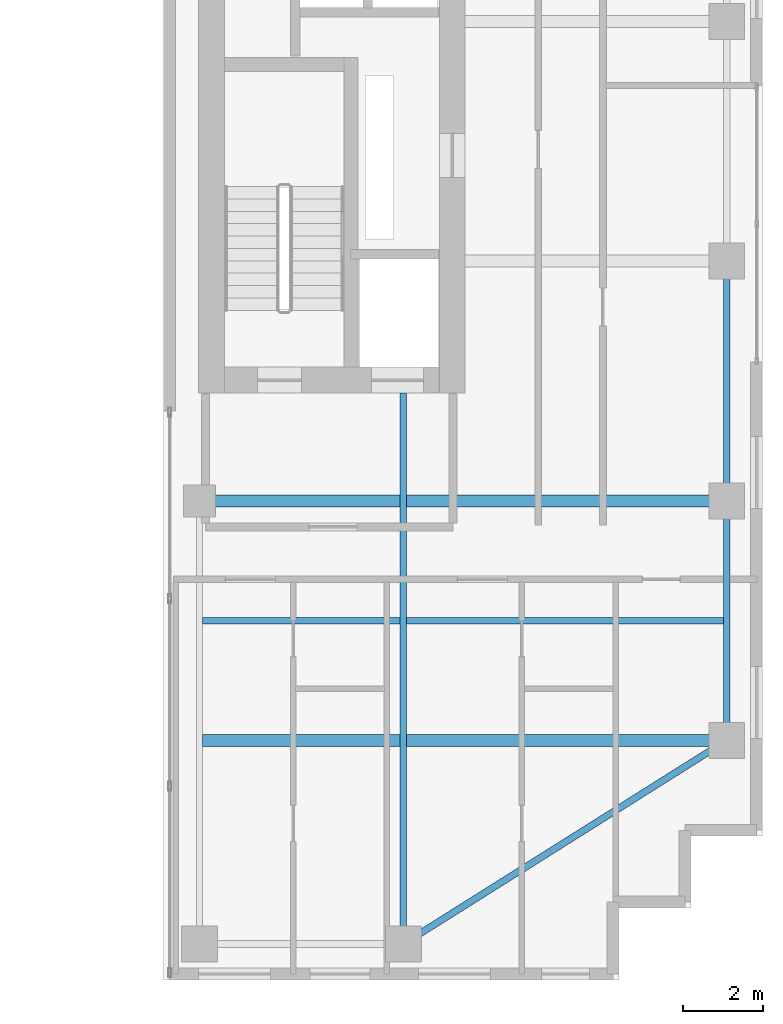
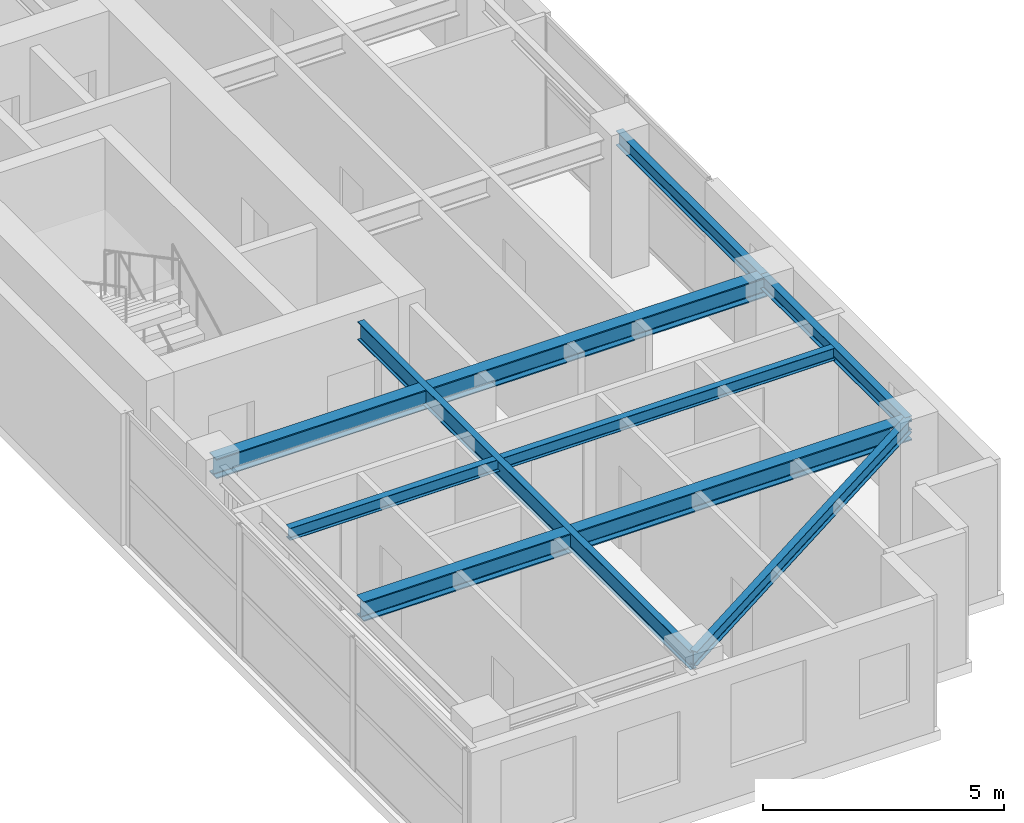
# One storey, part 10 of 20: 7 beams.
"""IFC4 building model written with IfcOpenShell, lengths in metres."""

from ifc_helpers import new_model, si_unit, direction, frame, origin, origin_2d, place, context, subcontext, project, spatial, i_section, extrude, source, transform, mapped, material, material_profile, profile_set, type_object, element, save


model = new_model("IFC4")

# Units and contexts
model_context = context("Model", 3, precision=1e-05, world=origin(), true_north=direction((0.0, 1.0)))
body_context = subcontext(model_context, "Body", "Model", "MODEL_VIEW")
ifc_project = project(units=[si_unit("LENGTHUNIT", "METRE"), si_unit("AREAUNIT", "SQUARE_METRE"), si_unit("VOLUMEUNIT", "CUBIC_METRE"), si_unit("PLANEANGLEUNIT", "RADIAN"), si_unit("MASSUNIT", "GRAM", prefix="KILO")], contexts=[model_context])

# Site, building, storey
site_placement = place(None, origin())
site = spatial("IfcSite", under=ifc_project, at=site_placement, CompositionType="ELEMENT")
building_placement = place(site_placement, origin())
building = spatial("IfcBuilding", under=site, at=building_placement, Name="Khoralis Quay Care Tower", CompositionType="ELEMENT")
storey_placement = place(building_placement, frame((0.0, 0.0, 198.89990234375)))
storey = spatial("IfcBuildingStorey", under=building, at=storey_placement, Name="L52", CompositionType="ELEMENT", Elevation=198.89990234375)

# Beams
ifc_material = material(Name="Steel S355", Category="steel")
ifc_material_profile_1 = material_profile(ifc_material, i_section(OverallWidth=0.169921875, OverallDepth=0.360107421875, WebThickness=0.008056640625, FlangeThickness=0.0126953125, FilletRadius=0.01806640625, at=origin_2d()), Name="Steel S355")
ifc_profile_set_1 = profile_set([ifc_material_profile_1], Name="Steel S355")
beam_type_1 = type_object("IfcBeamType", Name="BM-IPE360", PredefinedType="SPANDREL", material=ifc_profile_set_1)
shared_shape_1 = source(origin(), body_context, "Body", "SweptSolid", [
    extrude(i_section(OverallWidth=0.169921875, OverallDepth=0.360107421875, WebThickness=0.008056640625, FlangeThickness=0.0126953125, FilletRadius=0.01806640625, at=origin_2d()), origin(), (0.0, 0.0, 1.0), 6.0),
])
for number, where, z_axis, x_axis, name in (
    (1, (44.10009765625, 6.0, 3.16015625), (0.0, 1.0, 0.0), (-1.0, 0.0, 0.0), "BM-TSP-L52-10"),
    (2, (44.10009765625, 12.0, 3.16015625), (0.0, 1.0, 0.0), (-1.0, 0.0, 0.0), "BM-TSP-L52-11"),
):
    element("IfcBeam", number, at=place(storey_placement, frame(where, z_axis=z_axis, x_axis=x_axis)), inside=storey, type_object=beam_type_1, Name=name, PredefinedType="SPANDREL", context=body_context, shape_type="MappedRepresentation", body=[
        mapped(shared_shape_1, transform((0.0, 0.0, 0.0), scale=1.0)),
    ])
shared_shape_2 = source(origin(), body_context, "Body", "SweptSolid", [
    extrude(i_section(OverallWidth=0.169921875, OverallDepth=0.360107421875, WebThickness=0.008056640625, FlangeThickness=0.0126953125, FilletRadius=0.01806640625, at=origin_2d()), origin(), (0.0, 0.0, 1.0), 9.572021484375),
])
beam_1_placement = place(storey_placement, frame((36.0, 0.89990234375, 3.16015625), z_axis=(0.846231136359, 0.532815975602, 0.0), x_axis=(-0.532815975602, 0.846231136359, 0.0)))
element("IfcBeam", 3, at=beam_1_placement, inside=storey, type_object=beam_type_1, Name="BM-TCR-L52-16", PredefinedType="SPANDREL", context=body_context, shape_type="MappedRepresentation", body=[
    mapped(shared_shape_2, transform((0.0, 0.0, 0.0), scale=1.0)),
])
ifc_material_profile_2 = material_profile(ifc_material, i_section(OverallWidth=0.300048828125, OverallDepth=0.5, WebThickness=0.014404296875, FlangeThickness=0.028076171875, FilletRadius=0.027099609375, at=origin_2d()), Name="Steel S355")
ifc_profile_set_2 = profile_set([ifc_material_profile_2], Name="Steel S355")
beam_type_2 = type_object("IfcBeamType", Name="BM-HEB500", PredefinedType="BEAM", material=ifc_profile_set_2)
shared_shape_3 = source(origin(), body_context, "Body", "SweptSolid", [
    extrude(i_section(OverallWidth=0.300048828125, OverallDepth=0.5, WebThickness=0.014404296875, FlangeThickness=0.028076171875, FilletRadius=0.027099609375, at=origin_2d()), origin(), (0.0, 0.0, 1.0), 13.135009765625),
])
beam_2_placement = place(storey_placement, frame((30.965087890625, 6.0, 3.090087890625), z_axis=(1.0, 0.0, 0.0), x_axis=(0.0, 1.0, 0.0)))
element("IfcBeam", 4, at=beam_2_placement, inside=storey, type_object=beam_type_2, Name="BM-TGXE-L52-60", PredefinedType="BEAM", context=body_context, shape_type="MappedRepresentation", body=[
    mapped(shared_shape_3, transform((0.0, 0.0, 0.0), scale=1.0)),
])
shared_shape_4 = source(origin(), body_context, "Body", "SweptSolid", [
    extrude(i_section(OverallWidth=0.300048828125, OverallDepth=0.5, WebThickness=0.014404296875, FlangeThickness=0.028076171875, FilletRadius=0.027099609375, at=origin_2d()), origin(), (0.0, 0.0, 1.0), 13.2001953125),
])
beam_3_placement = place(storey_placement, frame((30.89990234375, 12.0, 3.090087890625), z_axis=(1.0, 0.0, 0.0), x_axis=(0.0, 1.0, 0.0)))
element("IfcBeam", 5, at=beam_3_placement, inside=storey, type_object=beam_type_2, Name="BM-TGXE-L52-120", PredefinedType="BEAM", context=body_context, shape_type="MappedRepresentation", body=[
    mapped(shared_shape_4, transform((0.0, 0.0, 0.0), scale=1.0)),
])
ifc_material_profile_3 = material_profile(ifc_material, i_section(OverallWidth=0.154052734375, OverallDepth=0.458984375, WebThickness=0.009033203125, FlangeThickness=0.015380859375, FilletRadius=0.014892578125, at=origin_2d()), Name="Steel S355")
ifc_profile_set_3 = profile_set([ifc_material_profile_3], Name="Steel S355")
beam_type_3 = type_object("IfcBeamType", Name="BM-W460X68", PredefinedType="BEAM", material=ifc_profile_set_3)
shared_shape_5 = source(origin(), body_context, "Body", "SweptSolid", [
    extrude(i_section(OverallWidth=0.154052734375, OverallDepth=0.458984375, WebThickness=0.009033203125, FlangeThickness=0.015380859375, FilletRadius=0.014892578125, at=origin_2d()), origin(), (0.0, 0.0, 1.0), 13.802001953125),
])
beam_4_placement = place(storey_placement, frame((36.0, 0.89990234375, 3.110595703125), z_axis=(0.0, 1.0, 0.0), x_axis=(-1.0, 0.0, 0.0)))
element("IfcBeam", 6, at=beam_4_placement, inside=storey, type_object=beam_type_3, Name="BM-TGYS-L52-360", PredefinedType="BEAM", context=body_context, shape_type="MappedRepresentation", body=[
    mapped(shared_shape_5, transform((0.0, 0.0, 0.0), scale=1.0)),
])
ifc_material_profile_4 = material_profile(ifc_material, i_section(OverallWidth=0.1650390625, OverallDepth=0.31005859375, WebThickness=0.005859375, FlangeThickness=0.009765625, FilletRadius=0.011962890625, at=origin_2d()), Name="Steel S355")
ifc_profile_set_4 = profile_set([ifc_material_profile_4], Name="Steel S355")
beam_type_4 = type_object("IfcBeamType", Name="BM-W310X39", PredefinedType="JOIST", material=ifc_profile_set_4)
shared_shape_6 = source(origin(), body_context, "Body", "SweptSolid", [
    extrude(i_section(OverallWidth=0.1650390625, OverallDepth=0.31005859375, WebThickness=0.005859375, FlangeThickness=0.009765625, FilletRadius=0.011962890625, at=origin_2d()), origin(), (0.0, 0.0, 1.0), 13.06396484375),
])
beam_5_placement = place(storey_placement, frame((30.965087890625, 9.0, 3.18505859375), z_axis=(1.0, 0.0, 0.0), x_axis=(0.0, 1.0, 0.0)))
element("IfcBeam", 7, at=beam_5_placement, inside=storey, type_object=beam_type_4, Name="BM-TJS-L52-20", PredefinedType="JOIST", context=body_context, shape_type="MappedRepresentation", body=[
    mapped(shared_shape_6, transform((0.0, 0.0, 0.0), scale=1.0)),
])

save(model, "model.ifc")
